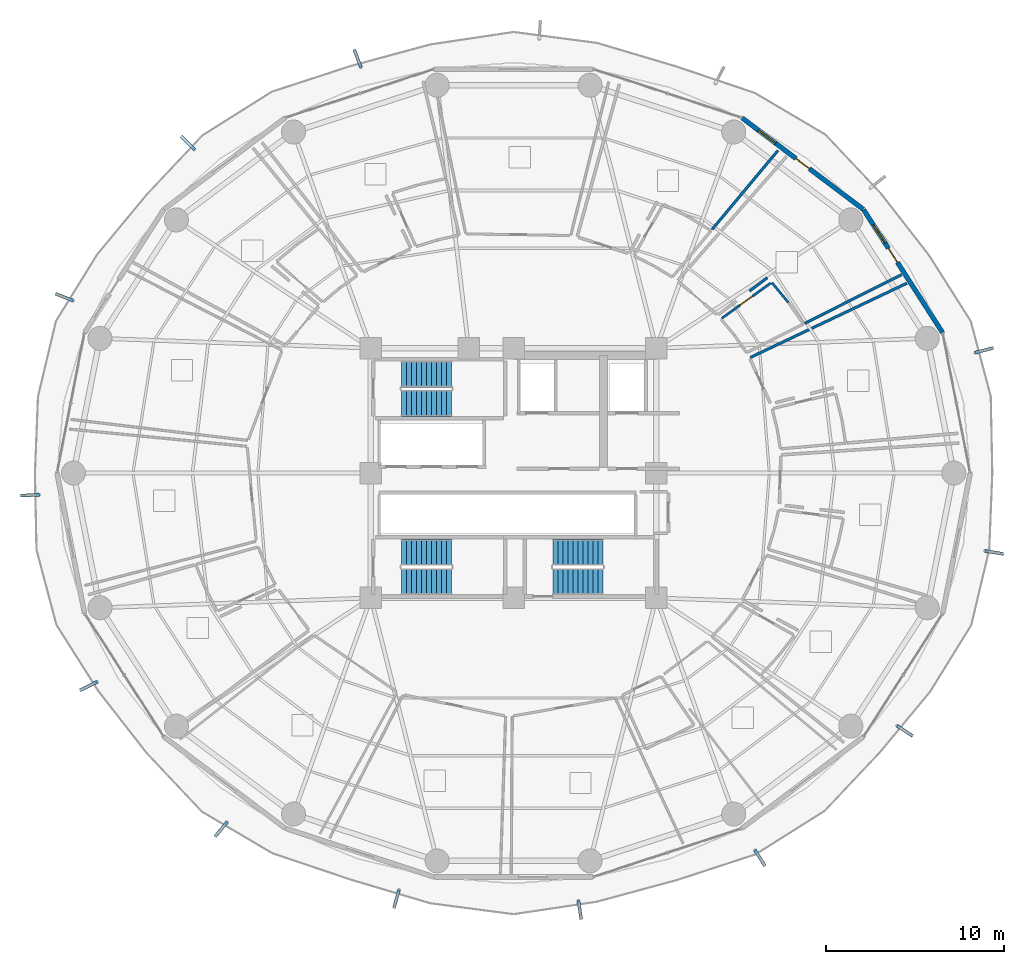
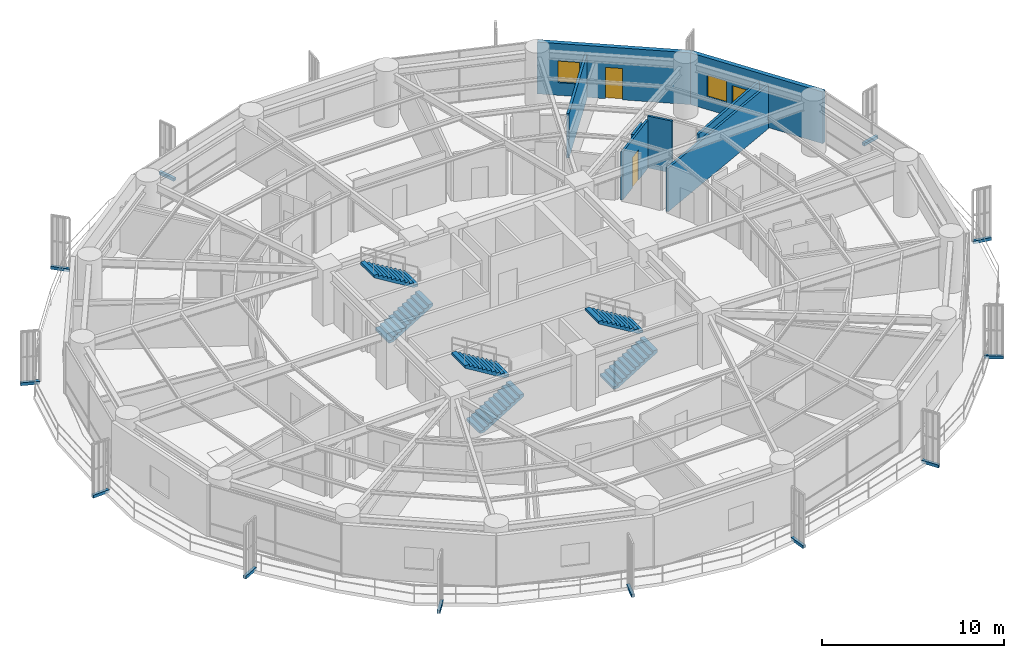
# One storey, part 33 of 38: 12 discrete accessories, 8 walls, 6 stair flights, 3 doors, 2 windows, 5 openings, 3 elements without a shape of their own.
"""IFC4 building model written with IfcOpenShell, lengths in metres."""

from ifc_helpers import new_model, si_unit, direction, frame, frame_2d, origin, origin_2d, place, context, subcontext, project, spatial, polyline, rectangle, outline, extrude, source, transform, mapped, material, layer, layer_set, type_object, element, fill, aggregate, save


model = new_model("IFC4")

# Units and contexts
model_context = context("Model", 3, precision=1e-05, world=origin(), true_north=direction((0.0, 1.0)))
body_context = subcontext(model_context, "Body", "Model", "MODEL_VIEW")
ifc_project = project(units=[si_unit("LENGTHUNIT", "METRE"), si_unit("AREAUNIT", "SQUARE_METRE"), si_unit("VOLUMEUNIT", "CUBIC_METRE"), si_unit("PLANEANGLEUNIT", "RADIAN"), si_unit("MASSUNIT", "GRAM", prefix="KILO")], contexts=[model_context])

# Site, building, storey
site_placement = place(None, origin())
site = spatial("IfcSite", under=ifc_project, at=site_placement, CompositionType="ELEMENT")
building_placement = place(site_placement, origin())
building = spatial("IfcBuilding", under=site, at=building_placement, Name="Kelanora Arch Commons", CompositionType="ELEMENT")
storey_placement = place(building_placement, frame((0.0, 0.0, 106.35009765625)))
storey = spatial("IfcBuildingStorey", under=building, at=storey_placement, Name="L27", CompositionType="ELEMENT", Elevation=106.35009765625)

# Walls
ifc_material_1 = material(Name="Autoclaved aerated concrete blockwork with fire plaster", Category="masonry")
ifc_layer_1 = layer(ifc_material_1, 0.14990234375)
ifc_layer_set_1 = layer_set([ifc_layer_1], Name="Autoclaved aerated concrete blockwork with fire plaster")
wall_type_1 = type_object("IfcWallType", Name="W-COMP-150", PredefinedType="PARTITIONING", material=ifc_layer_set_1)
wall_1_placement = place(storey_placement, frame((87.27001953125, 64.47900390625, 0.0), z_axis=(0.0, 0.0, 1.0), x_axis=(0.903543765611, 0.428495815178, 0.0)))
element("IfcWall", 1, at=wall_1_placement, inside=storey, type_object=wall_type_1, Name="Co-Living Studio L27-01 Enclosure Partition 2", PredefinedType="PARTITIONING", context=body_context, shape_type="SweptSolid", body=[
    extrude(rectangle(XDim=9.712646484375, YDim=0.14990234375, at=frame_2d((4.8564453125, 0.0))), origin(), (0.0, 0.0, 1.0), 2.9248046875),
])
wall_2_placement = place(storey_placement, frame((95.749267578125, 69.1201171875, 0.0), z_axis=(0.0, 0.0, 1.0), x_axis=(-0.89358164897, -0.448900697954, 0.0)))
element("IfcWall", 2, at=wall_2_placement, inside=storey, type_object=wall_type_1, Name="Co-Living Studio L27-02 Enclosure Partition 5", PredefinedType="PARTITIONING", context=body_context, shape_type="SweptSolid", body=[
    extrude(rectangle(XDim=6.074951171875, YDim=0.14990234375, at=frame_2d((3.03759765625, 0.0))), origin(), (0.0, 0.0, 1.0), 2.974853515625),
])
wall_3_placement = place(storey_placement, frame((88.22509765625, 68.952880859375, 0.0), z_axis=(0.0, 0.0, 1.0), x_axis=(-0.799225323022, -0.601031515846, 0.0)))
element("IfcWall", 3, at=wall_3_placement, inside=storey, type_object=wall_type_1, Name="Co-Living Studio L27-02 Enclosure Partition 7", PredefinedType="PARTITIONING", context=body_context, shape_type="SweptSolid", body=[
    extrude(rectangle(XDim=1.2490234375, YDim=0.14990234375, at=frame_2d((0.62451171875, 0.0))), origin(), (0.0, 0.0, 1.0), 2.9248046875),
])
wall_4_placement = place(storey_placement, frame((88.822509765625, 76.086181640625, 0.0), z_axis=(0.0, 0.0, 1.0), x_axis=(-0.640629420745, -0.767850210182, 0.0)))
element("IfcWall", 4, at=wall_4_placement, inside=storey, type_object=wall_type_1, Name="Co-Living Studio L27-03 Enclosure Partition 5", PredefinedType="PARTITIONING", context=body_context, shape_type="SweptSolid", body=[
    extrude(rectangle(XDim=5.7724609375, YDim=0.14990234375, at=frame_2d((2.88623046875, 0.0))), origin(), (0.0, 0.0, 1.0), 2.974853515625),
])

# Wall, openings, door, window
ifc_material_2 = material(Name="Precast concrete C40/50 with terracotta rainscreen", Category="masonry")
ifc_layer_2 = layer(ifc_material_2, 0.260009765625)
ifc_layer_set_2 = layer_set([ifc_layer_2], Name="Precast concrete C40/50 with terracotta rainscreen")
wall_type_2 = type_object("IfcWallType", Name="W-EXT-TC", PredefinedType="SOLIDWALL", material=ifc_layer_set_2)
wall_5_placement = place(storey_placement, frame((98.048095703125, 65.879150390625, 0.0), z_axis=(0.0, 0.0, 1.0), x_axis=(-0.540620528459, 0.841266571432, 0.0)))
wall_5 = element("IfcWall", 5, at=wall_5_placement, inside=storey, type_object=wall_type_2, Name="Terracotta Exterior Wall L27-B01", PredefinedType="SOLIDWALL", context=body_context, shape_type="SweptSolid", body=[
    extrude(rectangle(XDim=8.19287109375, YDim=0.260009765625, at=frame_2d((4.096435546875, 0.0))), origin(), (0.0, 0.0, 1.0), 3.474853515625),
])
opening_1_placement = place(wall_5_placement, frame((4.6708984375, 0.0, 0.0)))
opening_1 = element("IfcOpeningElement", 6, at=opening_1_placement, cuts=wall_5, Name="Opening DB-01", PredefinedType="OPENING", context=body_context, shape_type="SweptSolid", body=[
    extrude(rectangle(XDim=0.949951171875, YDim=2.10009765625, at=frame_2d((0.47509765625, 1.050048828125))), frame((0.0, 0.14013671875, 0.0), z_axis=(0.0, -1.0, 0.0), x_axis=(1.0, 0.0, 0.0)), (0.0, 0.0, 1.0), 0.280029296875),
])
opening_2_placement = place(wall_5_placement, frame((5.970947265625, 0.0, 0.85009765625)))
opening_2 = element("IfcOpeningElement", 7, at=opening_2_placement, cuts=wall_5, Name="Opening WN-02", PredefinedType="OPENING", context=body_context, shape_type="SweptSolid", body=[
    extrude(rectangle(XDim=1.199951171875, YDim=1.449951171875, at=frame_2d((0.60009765625, 0.72509765625))), frame((0.0, 0.14013671875, 0.0), z_axis=(0.0, -1.0, 0.0), x_axis=(1.0, 0.0, 0.0)), (0.0, 0.0, 1.0), 0.280029296875),
])
ifc_material_3 = material(Name="Terracotta-aluminium thermally broken glazed balcony door", Category="masonry")
door_type_1 = type_object("IfcDoorType", Name="D-BAL-10", OperationType="NOTDEFINED", PredefinedType="DOOR", material=ifc_material_3)
door_1_placement = place(opening_1_placement, frame((0.949951171875, 0.0, 0.0), z_axis=(0.0, 0.0, 1.0), x_axis=(-1.0, 0.0, 0.0)))
door_1 = element("IfcDoor", 8, at=door_1_placement, inside=storey, type_object=door_type_1, Name="Wave Balcony Door L27-B01", OperationType="SINGLE_SWING_LEFT", OverallHeight=2.10009765625, OverallWidth=0.949951171875, PredefinedType="DOOR", context=body_context, shape_type="SweptSolid", body=[
    extrude(rectangle(XDim=0.949951171875, YDim=2.10009765625, at=frame_2d((0.47509765625, 1.050048828125))), frame((0.0, 0.02490234375, 0.0), z_axis=(0.0, -1.0, 0.0), x_axis=(1.0, 0.0, 0.0)), (0.0, 0.0, 1.0), 0.050048828125),
])
fill(opening_1, door_1)
ifc_material_4 = material(Name="Terracotta-anodised aluminium frame with operable awning sash", Category="masonry")
window_type = type_object("IfcWindowType", Name="WIN-CL-12", PartitioningType="SINGLE_PANEL", PredefinedType="WINDOW", material=ifc_material_4)
window_1_placement = place(opening_2_placement, origin())
window_1 = element("IfcWindow", 9, at=window_1_placement, inside=storey, type_object=window_type, Name="Co-Living Operable Window L27-B01", OverallHeight=1.449951171875, OverallWidth=1.199951171875, PartitioningType="SINGLE_PANEL", PredefinedType="WINDOW", context=body_context, shape_type="SweptSolid", body=[
    extrude(rectangle(XDim=1.199951171875, YDim=1.449951171875, at=frame_2d((0.60009765625, 0.72509765625))), frame((0.0, 0.030029296875, 0.0), z_axis=(0.0, -1.0, 0.0), x_axis=(1.0, 0.0, 0.0)), (0.0, 0.0, 1.0), 0.06005859375),
])
fill(opening_2, window_1)

wall_6_placement = place(storey_placement, frame((93.5986328125, 72.793212890625, 0.0), z_axis=(0.0, 0.0, 1.0), x_axis=(-0.798501507879, 0.601992808857, 0.0)))
wall_6 = element("IfcWall", 10, at=wall_6_placement, inside=storey, type_object=wall_type_2, Name="Terracotta Exterior Wall L27-B02", PredefinedType="SOLIDWALL", context=body_context, shape_type="SweptSolid", body=[
    extrude(rectangle(XDim=8.499267578125, YDim=0.260009765625, at=frame_2d((4.24951171875, 0.0))), origin(), (0.0, 0.0, 1.0), 3.474853515625),
])
opening_3_placement = place(wall_6_placement, frame((3.77490234375, 0.0, 0.0)))
opening_3 = element("IfcOpeningElement", 11, at=opening_3_placement, cuts=wall_6, Name="Opening DB-01", PredefinedType="OPENING", context=body_context, shape_type="SweptSolid", body=[
    extrude(rectangle(XDim=0.949951171875, YDim=2.10009765625, at=frame_2d((0.47509765625, 1.050048828125))), frame((0.0, 0.14013671875, 0.0), z_axis=(0.0, -1.0, 0.0), x_axis=(1.0, 0.0, 0.0)), (0.0, 0.0, 1.0), 0.280029296875),
])
opening_4_placement = place(wall_6_placement, frame((6.155029296875, 0.0, 0.85009765625)))
opening_4 = element("IfcOpeningElement", 12, at=opening_4_placement, cuts=wall_6, Name="Opening WN-02", PredefinedType="OPENING", context=body_context, shape_type="SweptSolid", body=[
    extrude(rectangle(XDim=1.199951171875, YDim=1.449951171875, at=frame_2d((0.60009765625, 0.72509765625))), frame((0.0, 0.14013671875, 0.0), z_axis=(0.0, -1.0, 0.0), x_axis=(1.0, 0.0, 0.0)), (0.0, 0.0, 1.0), 0.280029296875),
])
door_2_placement = place(opening_3_placement, frame((0.949951171875, 0.0, 0.0), z_axis=(0.0, 0.0, 1.0), x_axis=(-1.0, 0.0, 0.0)))
door_2 = element("IfcDoor", 13, at=door_2_placement, inside=storey, type_object=door_type_1, Name="Wave Balcony Door L27-B02", OperationType="SINGLE_SWING_RIGHT", OverallHeight=2.10009765625, OverallWidth=0.949951171875, PredefinedType="DOOR", context=body_context, shape_type="SweptSolid", body=[
    extrude(rectangle(XDim=0.949951171875, YDim=2.10009765625, at=frame_2d((0.47509765625, 1.050048828125))), frame((0.0, 0.02490234375, 0.0), z_axis=(0.0, -1.0, 0.0), x_axis=(1.0, 0.0, 0.0)), (0.0, 0.0, 1.0), 0.050048828125),
])
fill(opening_3, door_2)
window_2_placement = place(opening_4_placement, origin())
window_2 = element("IfcWindow", 14, at=window_2_placement, inside=storey, type_object=window_type, Name="Co-Living Operable Window L27-B02", OverallHeight=1.449951171875, OverallWidth=1.199951171875, PartitioningType="SINGLE_PANEL", PredefinedType="WINDOW", context=body_context, shape_type="SweptSolid", body=[
    extrude(rectangle(XDim=1.199951171875, YDim=1.449951171875, at=frame_2d((0.60009765625, 0.72509765625))), frame((0.0, 0.030029296875, 0.0), z_axis=(0.0, -1.0, 0.0), x_axis=(1.0, 0.0, 0.0)), (0.0, 0.0, 1.0), 0.06005859375),
])
fill(opening_4, window_2)

# Wall, opening, door
ifc_material_5 = material(Name="Moisture-resistant fire-rated cement-board plumbing wall")
ifc_layer_3 = layer(ifc_material_5, 0.1298828125)
ifc_layer_set_3 = layer_set([ifc_layer_3], Name="Moisture-resistant fire-rated cement-board plumbing wall")
wall_type_3 = type_object("IfcWallType", Name="W-WET-120", PredefinedType="PLUMBINGWALL", material=ifc_layer_set_3)
wall_7_placement = place(storey_placement, frame((85.672607421875, 66.676025390625, 0.0), z_axis=(0.0, 0.0, 1.0), x_axis=(0.811192287952, 0.584779507137, 0.0)))
wall_7 = element("IfcWall", 15, at=wall_7_placement, inside=storey, type_object=wall_type_3, Name="En-Suite Shower WC L27-02 Entry Partition", PredefinedType="PLUMBINGWALL", context=body_context, shape_type="SweptSolid", body=[
    extrude(rectangle(XDim=3.3857421875, YDim=0.1298828125, at=frame_2d((1.69287109375, 0.0))), origin(), (0.0, 0.0, 1.0), 3.23486328125),
])
opening_5_placement = place(wall_7_placement, frame((1.262939453125, 0.0, 0.0)))
opening_5 = element("IfcOpeningElement", 16, at=opening_5_placement, cuts=wall_7, Name="Opening D-BT1", PredefinedType="OPENING", context=body_context, shape_type="SweptSolid", body=[
    extrude(rectangle(XDim=0.860107421875, YDim=2.050048828125, at=frame_2d((0.43017578125, 1.02490234375))), frame((0.0, 0.074951171875, 0.0), z_axis=(0.0, -1.0, 0.0), x_axis=(1.0, 0.0, 0.0)), (0.0, 0.0, 1.0), 0.14990234375),
])
ifc_material_6 = material(Name="Moisture-sealed fire-rated accessible bathroom door")
door_type_2 = type_object("IfcDoorType", Name="D-BATH-85", OperationType="NOTDEFINED", PredefinedType="DOOR", material=ifc_material_6)
door_3_placement = place(opening_5_placement, origin())
door_3 = element("IfcDoor", 17, at=door_3_placement, inside=storey, type_object=door_type_2, Name="En-Suite Shower WC L27-02 Door", OperationType="SINGLE_SWING_RIGHT", OverallHeight=2.050048828125, OverallWidth=0.860107421875, PredefinedType="DOOR", context=body_context, shape_type="SweptSolid", body=[
    extrude(rectangle(XDim=0.860107421875, YDim=2.050048828125, at=frame_2d((0.43017578125, 1.02490234375))), frame((0.0, 0.02490234375, 0.0), z_axis=(0.0, -1.0, 0.0), x_axis=(1.0, 0.0, 0.0)), (0.0, 0.0, 1.0), 0.050048828125),
])
fill(opening_5, door_3)

# Wall
wall_8_placement = place(storey_placement, frame((88.480712890625, 68.675537109375, 0.0), z_axis=(0.0, 0.0, 1.0), x_axis=(0.640685734907, -0.767803222894, 0.0)))
element("IfcWall", 18, at=wall_8_placement, inside=storey, type_object=wall_type_3, Name="En-Suite Shower WC L27-02 Enclosure Partition 4", PredefinedType="PLUMBINGWALL", context=body_context, shape_type="SweptSolid", body=[
    extrude(rectangle(XDim=1.4365234375, YDim=0.1298828125, at=frame_2d((0.71826171875, 0.0))), origin(), (0.0, 0.0, 1.0), 3.47998046875),
])

# Stair, stair flights
ifc_material_7 = material(Name="Concrete C40/50", Category="concrete")
stair_type = type_object("IfcStairType", Name="STR-DL-375", PredefinedType="HALF_TURN_STAIR", material=ifc_material_7)
stair_1_placement = place(storey_placement, origin())
stair_1 = element("IfcStair", 19, at=stair_1_placement, inside=storey, type_object=stair_type, Name="L27 ST-T1", PredefinedType="HALF_TURN_STAIR")
stair_flight_type = type_object("IfcStairFlightType", Name="FLT-DL-375", PredefinedType="STRAIGHT", material=ifc_material_7)
stair_flight_1_placement = place(storey_placement, frame((67.719970703125, 61.919921875, 0.0), z_axis=(0.0, 0.0, 1.0), x_axis=(1.0, 0.0, 0.0)))
stair_flight_1 = element("IfcStairFlight", 20, at=stair_flight_1_placement, type_object=stair_flight_type, Name="ST-T1 flight 1", NumberOfRisers=11, NumberOfTreads=10, PredefinedType="STRAIGHT", RiserHeight=0.170454545, TreadLength=0.28, context=body_context, shape_type="SweptSolid", body=[
    extrude(outline(polyline([(0.0, 0.0), (0.0, 0.17041015625), (0.280029296875, 0.17041015625), (0.280029296875, 0.3408203125), (0.56005859375, 0.3408203125), (0.56005859375, 0.511474609375), (0.840087890625, 0.511474609375), (0.840087890625, 0.681884765625), (1.1201171875, 0.681884765625), (1.1201171875, 0.852294921875), (1.39990234375, 0.852294921875), (1.39990234375, 1.022705078125), (1.679931640625, 1.022705078125), (1.679931640625, 1.193115234375), (1.9599609375, 1.193115234375), (1.9599609375, 1.363525390625), (2.239990234375, 1.363525390625), (2.239990234375, 1.5341796875), (2.52001953125, 1.5341796875), (2.52001953125, 1.70458984375), (2.800048828125, 1.70458984375), (2.800048828125, 1.875), (2.800048828125, 1.529052734375), (0.288330078125, 0.0), (0.0, 0.0)])), frame((0.0, 0.739990234375, 0.0), z_axis=(0.0, -1.0, 0.0), x_axis=(1.0, 0.0, 0.0)), (0.0, 0.0, 1.0), 1.47998046875),
])
stair_flight_2_placement = place(storey_placement, frame((70.52001953125, 63.550048828125, 1.875), z_axis=(0.0, 0.0, 1.0), x_axis=(-1.0, 0.0, 0.0)))
stair_flight_2 = element("IfcStairFlight", 21, at=stair_flight_2_placement, type_object=stair_flight_type, Name="ST-T1 flight 2", NumberOfRisers=11, NumberOfTreads=10, PredefinedType="STRAIGHT", RiserHeight=0.170454545, TreadLength=0.28, context=body_context, shape_type="SweptSolid", body=[
    extrude(outline(polyline([(0.0, 0.0), (0.0, 0.17041015625), (0.280029296875, 0.17041015625), (0.280029296875, 0.3408203125), (0.56005859375, 0.3408203125), (0.56005859375, 0.511474609375), (0.840087890625, 0.511474609375), (0.840087890625, 0.681884765625), (1.1201171875, 0.681884765625), (1.1201171875, 0.852294921875), (1.39990234375, 0.852294921875), (1.39990234375, 1.022705078125), (1.679931640625, 1.022705078125), (1.679931640625, 1.193115234375), (1.9599609375, 1.193115234375), (1.9599609375, 1.363525390625), (2.239990234375, 1.363525390625), (2.239990234375, 1.5341796875), (2.52001953125, 1.5341796875), (2.52001953125, 1.70458984375), (2.800048828125, 1.70458984375), (2.800048828125, 1.875), (2.800048828125, 1.529052734375), (0.288330078125, 0.0), (0.0, 0.0)])), frame((0.0, 0.739990234375, 0.0), z_axis=(0.0, -1.0, 0.0), x_axis=(1.0, 0.0, 0.0)), (0.0, 0.0, 1.0), 1.47998046875),
])
aggregate(stair_1, [stair_flight_1, stair_flight_2])

stair_2_placement = place(storey_placement, origin())
stair_2 = element("IfcStair", 22, at=stair_2_placement, inside=storey, type_object=stair_type, Name="L27 ST-T2", PredefinedType="HALF_TURN_STAIR")
stair_flight_3_placement = place(storey_placement, frame((76.199951171875, 51.919921875, 0.0), z_axis=(0.0, 0.0, 1.0), x_axis=(1.0, 0.0, 0.0)))
stair_flight_3 = element("IfcStairFlight", 23, at=stair_flight_3_placement, type_object=stair_flight_type, Name="ST-T2 flight 1", NumberOfRisers=11, NumberOfTreads=10, PredefinedType="STRAIGHT", RiserHeight=0.170454545, TreadLength=0.28, context=body_context, shape_type="SweptSolid", body=[
    extrude(outline(polyline([(0.0, 0.0), (0.0, 0.17041015625), (0.280029296875, 0.17041015625), (0.280029296875, 0.3408203125), (0.56005859375, 0.3408203125), (0.56005859375, 0.511474609375), (0.840087890625, 0.511474609375), (0.840087890625, 0.681884765625), (1.1201171875, 0.681884765625), (1.1201171875, 0.852294921875), (1.39990234375, 0.852294921875), (1.39990234375, 1.022705078125), (1.679931640625, 1.022705078125), (1.679931640625, 1.193115234375), (1.9599609375, 1.193115234375), (1.9599609375, 1.363525390625), (2.239990234375, 1.363525390625), (2.239990234375, 1.5341796875), (2.52001953125, 1.5341796875), (2.52001953125, 1.70458984375), (2.800048828125, 1.70458984375), (2.800048828125, 1.875), (2.800048828125, 1.529052734375), (0.288330078125, 0.0), (0.0, 0.0)])), frame((0.0, 0.739990234375, 0.0), z_axis=(0.0, -1.0, 0.0), x_axis=(1.0, 0.0, 0.0)), (0.0, 0.0, 1.0), 1.47998046875),
])
stair_flight_4_placement = place(storey_placement, frame((79.0, 53.550048828125, 1.875), z_axis=(0.0, 0.0, 1.0), x_axis=(-1.0, 0.0, 0.0)))
stair_flight_4 = element("IfcStairFlight", 24, at=stair_flight_4_placement, type_object=stair_flight_type, Name="ST-T2 flight 2", NumberOfRisers=11, NumberOfTreads=10, PredefinedType="STRAIGHT", RiserHeight=0.170454545, TreadLength=0.28, context=body_context, shape_type="SweptSolid", body=[
    extrude(outline(polyline([(0.0, 0.0), (0.0, 0.17041015625), (0.280029296875, 0.17041015625), (0.280029296875, 0.3408203125), (0.56005859375, 0.3408203125), (0.56005859375, 0.511474609375), (0.840087890625, 0.511474609375), (0.840087890625, 0.681884765625), (1.1201171875, 0.681884765625), (1.1201171875, 0.852294921875), (1.39990234375, 0.852294921875), (1.39990234375, 1.022705078125), (1.679931640625, 1.022705078125), (1.679931640625, 1.193115234375), (1.9599609375, 1.193115234375), (1.9599609375, 1.363525390625), (2.239990234375, 1.363525390625), (2.239990234375, 1.5341796875), (2.52001953125, 1.5341796875), (2.52001953125, 1.70458984375), (2.800048828125, 1.70458984375), (2.800048828125, 1.875), (2.800048828125, 1.529052734375), (0.288330078125, 0.0), (0.0, 0.0)])), frame((0.0, 0.739990234375, 0.0), z_axis=(0.0, -1.0, 0.0), x_axis=(1.0, 0.0, 0.0)), (0.0, 0.0, 1.0), 1.47998046875),
])
aggregate(stair_2, [stair_flight_3, stair_flight_4])

stair_3_placement = place(storey_placement, origin())
stair_3 = element("IfcStair", 25, at=stair_3_placement, inside=storey, type_object=stair_type, Name="L27 ST-T3", PredefinedType="HALF_TURN_STAIR")
stair_flight_5_placement = place(storey_placement, frame((67.719970703125, 51.919921875, 0.0), z_axis=(0.0, 0.0, 1.0), x_axis=(1.0, 0.0, 0.0)))
stair_flight_5 = element("IfcStairFlight", 26, at=stair_flight_5_placement, type_object=stair_flight_type, Name="ST-T3 flight 1", NumberOfRisers=11, NumberOfTreads=10, PredefinedType="STRAIGHT", RiserHeight=0.170454545, TreadLength=0.28, context=body_context, shape_type="SweptSolid", body=[
    extrude(outline(polyline([(0.0, 0.0), (0.0, 0.17041015625), (0.280029296875, 0.17041015625), (0.280029296875, 0.3408203125), (0.56005859375, 0.3408203125), (0.56005859375, 0.511474609375), (0.840087890625, 0.511474609375), (0.840087890625, 0.681884765625), (1.1201171875, 0.681884765625), (1.1201171875, 0.852294921875), (1.39990234375, 0.852294921875), (1.39990234375, 1.022705078125), (1.679931640625, 1.022705078125), (1.679931640625, 1.193115234375), (1.9599609375, 1.193115234375), (1.9599609375, 1.363525390625), (2.239990234375, 1.363525390625), (2.239990234375, 1.5341796875), (2.52001953125, 1.5341796875), (2.52001953125, 1.70458984375), (2.800048828125, 1.70458984375), (2.800048828125, 1.875), (2.800048828125, 1.529052734375), (0.288330078125, 0.0), (0.0, 0.0)])), frame((0.0, 0.739990234375, 0.0), z_axis=(0.0, -1.0, 0.0), x_axis=(1.0, 0.0, 0.0)), (0.0, 0.0, 1.0), 1.47998046875),
])
stair_flight_6_placement = place(storey_placement, frame((70.52001953125, 53.550048828125, 1.875), z_axis=(0.0, 0.0, 1.0), x_axis=(-1.0, 0.0, 0.0)))
stair_flight_6 = element("IfcStairFlight", 27, at=stair_flight_6_placement, type_object=stair_flight_type, Name="ST-T3 flight 2", NumberOfRisers=11, NumberOfTreads=10, PredefinedType="STRAIGHT", RiserHeight=0.170454545, TreadLength=0.28, context=body_context, shape_type="SweptSolid", body=[
    extrude(outline(polyline([(0.0, 0.0), (0.0, 0.17041015625), (0.280029296875, 0.17041015625), (0.280029296875, 0.3408203125), (0.56005859375, 0.3408203125), (0.56005859375, 0.511474609375), (0.840087890625, 0.511474609375), (0.840087890625, 0.681884765625), (1.1201171875, 0.681884765625), (1.1201171875, 0.852294921875), (1.39990234375, 0.852294921875), (1.39990234375, 1.022705078125), (1.679931640625, 1.022705078125), (1.679931640625, 1.193115234375), (1.9599609375, 1.193115234375), (1.9599609375, 1.363525390625), (2.239990234375, 1.363525390625), (2.239990234375, 1.5341796875), (2.52001953125, 1.5341796875), (2.52001953125, 1.70458984375), (2.800048828125, 1.70458984375), (2.800048828125, 1.875), (2.800048828125, 1.529052734375), (0.288330078125, 0.0), (0.0, 0.0)])), frame((0.0, 0.739990234375, 0.0), z_axis=(0.0, -1.0, 0.0), x_axis=(1.0, 0.0, 0.0)), (0.0, 0.0, 1.0), 1.47998046875),
])
aggregate(stair_3, [stair_flight_5, stair_flight_6])

# Discrete accessories
ifc_material_8 = material(Name="Stainless steel 316 marine fin bracket", Category="steel")
discrete_accessory_type = type_object("IfcDiscreteAccessoryType", Name="ACC-FIN-BRK", PredefinedType="BRACKET", material=ifc_material_8)
shared_shape = source(origin(), body_context, "Body", "SweptSolid", [
    extrude(rectangle(XDim=1.05908203125, YDim=0.179931640625, at=origin_2d()), origin(), (0.0, 0.0, 1.0), 0.199951171875),
])
for number, where, z_axis, x_axis, name in (
    (28, (65.252685546875, 81.247314453125, -0.16015625), (0.0, 0.0, 1.0), (-0.352168373381, 0.935936662809, 0.0), "Sweeping Fin Cantilever Spine Bracket L27-03"),
    (29, (55.732421875, 76.51171875, -0.16015625), (0.0, 0.0, 1.0), (-0.70240155419, 0.711780904964, 0.0), "Sweeping Fin Cantilever Spine Bracket L27-04"),
    (30, (48.811767578125, 67.861083984375, -0.16015625), (0.0, 0.0, 1.0), (-0.931183125162, 0.364551762325, 0.0), "Sweeping Fin Cantilever Spine Bracket L27-05"),
    (31, (46.876708984375, 56.7587890625, -0.16015625), (0.0, 0.0, 1.0), (-0.99895467426, -0.04571169187, 0.0), "Sweeping Fin Cantilever Spine Bracket L27-06"),
    (32, (50.176025390625, 46.0595703125, -0.16015625), (0.0, 0.0, 1.0), (-0.893997884961, -0.448071179262, 0.0), "Sweeping Fin Cantilever Spine Bracket L27-07"),
    (33, (57.60498046875, 38.02587890625, -0.16015625), (0.0, 0.0, 1.0), (-0.634460739636, -0.772955089162, 0.0), "Sweeping Fin Cantilever Spine Bracket L27-08"),
    (34, (67.431884765625, 34.121826171875, -0.16015625), (0.0, 0.0, 1.0), (-0.265219568533, -0.964188042068, 0.0), "Sweeping Fin Cantilever Spine Bracket L27-09"),
    (35, (77.71240234375, 33.51123046875, -0.16015625), (0.0, 0.0, 1.0), (0.149880475413, -0.988704123128, 0.0), "Sweeping Fin Cantilever Spine Bracket L27-10"),
    (36, (87.814208984375, 36.416015625, -0.16015625), (0.0, 0.0, 1.0), (0.539064823539, -0.842264279204, 0.0), "Sweeping Fin Cantilever Spine Bracket L27-11"),
    (37, (95.931396484375, 43.5498046875, -0.16015625), (0.0, 0.0, 1.0), (0.835039966425, -0.550189289674, 0.0), "Sweeping Fin Cantilever Spine Bracket L27-12"),
    (38, (100.9453125, 53.548828125, -0.16015625), (0.0, 0.0, 1.0), (0.986629113016, -0.162981573648, 0.0), "Sweeping Fin Cantilever Spine Bracket L27-13"),
    (39, (100.385009765625, 64.882568359375, -0.16015625), (0.0, 0.0, 1.0), (0.967621122723, 0.252407137104, 0.0), "Sweeping Fin Cantilever Spine Bracket L27-14"),
):
    element("IfcDiscreteAccessory", number, at=place(storey_placement, frame(where, z_axis=z_axis, x_axis=x_axis)), inside=storey, type_object=discrete_accessory_type, Name=name, PredefinedType="BRACKET", context=body_context, shape_type="MappedRepresentation", body=[
        mapped(shared_shape, transform((0.0, 0.0, 0.0), scale=1.0)),
    ])

save(model, "model.ifc")
